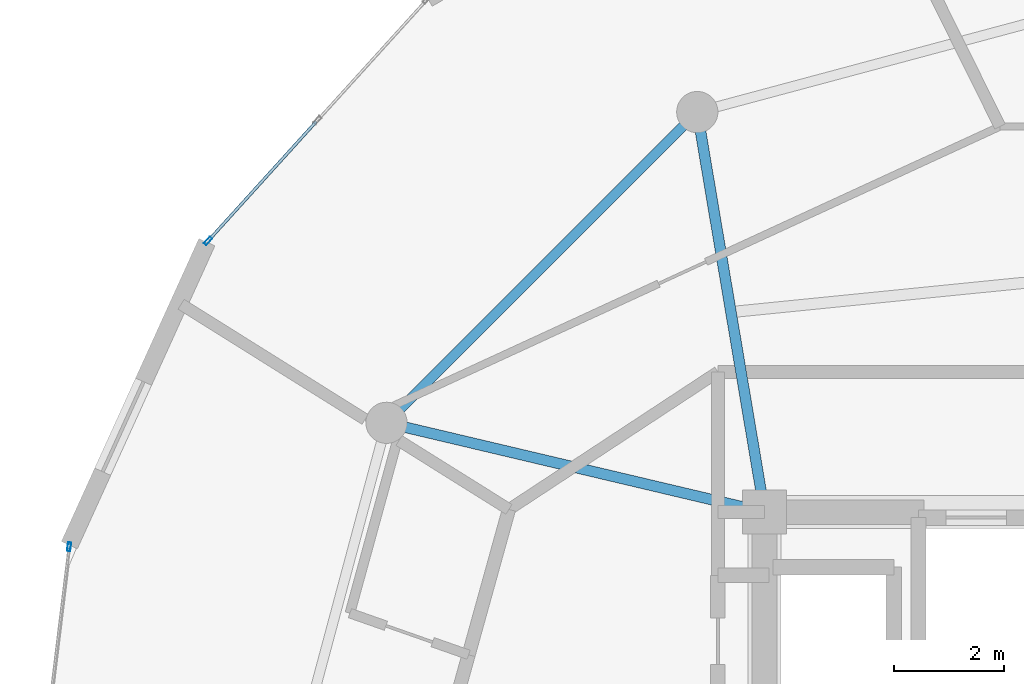
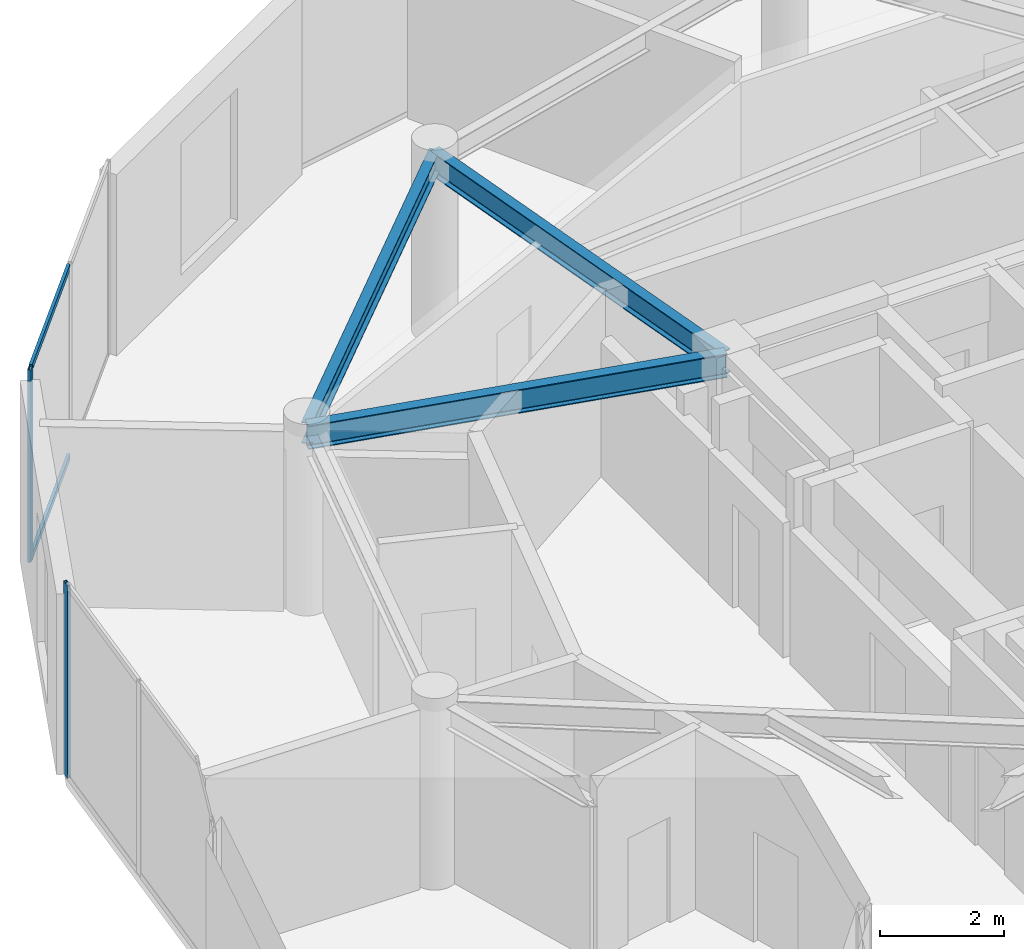
# One storey, part 9 of 18: 4 members, 3 beams, 2 elements without a shape of their own.
"""IFC4 building model written with IfcOpenShell, lengths in metres."""

from ifc_helpers import new_model, si_unit, direction, frame, origin, origin_2d, place, context, subcontext, project, spatial, hollow_rectangle, i_section, extrude, source, transform, mapped, material, layer, layer_set, material_profile, profile_set, type_object, element, aggregate, save


model = new_model("IFC4")

# Units and contexts
model_context = context("Model", 3, precision=1e-05, world=origin(), true_north=direction((0.0, 1.0)))
body_context = subcontext(model_context, "Body", "Model", "MODEL_VIEW")
ifc_project = project(units=[si_unit("LENGTHUNIT", "METRE"), si_unit("AREAUNIT", "SQUARE_METRE"), si_unit("VOLUMEUNIT", "CUBIC_METRE"), si_unit("PLANEANGLEUNIT", "RADIAN"), si_unit("MASSUNIT", "GRAM", prefix="KILO")], contexts=[model_context])

# Site, building, storey
site_placement = place(None, origin())
site = spatial("IfcSite", under=ifc_project, at=site_placement, CompositionType="ELEMENT")
building_placement = place(site_placement, origin())
building = spatial("IfcBuilding", under=site, at=building_placement, Name="Solvirekh Grand Hotel", CompositionType="ELEMENT")
storey_placement = place(building_placement, frame((0.0, 0.0, 274.39990234375)))
storey = spatial("IfcBuildingStorey", under=building, at=storey_placement, Name="L71", CompositionType="ELEMENT", Elevation=274.39990234375)

# Beams
ifc_material_1 = material(Name="Steel S355", Category="steel")
ifc_material_profile_1 = material_profile(ifc_material_1, i_section(OverallWidth=0.194091796875, OverallDepth=0.468994140625, WebThickness=0.010986328125, FlangeThickness=0.01904296875, FilletRadius=0.012939453125, at=origin_2d()), Name="W460X106")
ifc_profile_set_1 = profile_set([ifc_material_profile_1], Name="Steel S355")
beam_type_1 = type_object("IfcBeamType", Name="Beam_Radial_W460H", PredefinedType="BEAM", material=ifc_profile_set_1)
beam_1_placement = place(storey_placement, frame((-6.5, 6.10009765625, 3.336181640625), z_axis=(-0.165954049106, 0.986133486697, 0.0), x_axis=(-0.986133486697, -0.165954049106, 0.0)))
element("IfcBeam", 1, at=beam_1_placement, inside=storey, type_object=beam_type_1, Name="L71 radial floor beam R05", PredefinedType="BEAM", context=body_context, shape_type="SweptSolid", body=[
    extrude(i_section(OverallWidth=0.194091796875, OverallDepth=0.468994140625, WebThickness=0.010986328125, FlangeThickness=0.01904296875, FilletRadius=0.012939453125, at=origin_2d()), origin(), (0.0, 0.0, 1.0), 7.382080078125),
])
beam_2_placement = place(storey_placement, frame((-6.5, 6.10009765625, 3.336181640625), z_axis=(-0.973221147544, 0.229870828888, 0.0), x_axis=(-0.229870828888, -0.973221147544, 0.0)))
element("IfcBeam", 2, at=beam_2_placement, inside=storey, type_object=beam_type_1, Name="L71 radial floor beam R06", PredefinedType="BEAM", context=body_context, shape_type="SweptSolid", body=[
    extrude(i_section(OverallWidth=0.194091796875, OverallDepth=0.468994140625, WebThickness=0.010986328125, FlangeThickness=0.01904296875, FilletRadius=0.012939453125, at=origin_2d()), origin(), (0.0, 0.0, 1.0), 7.069091796875),
])
ifc_material_profile_2 = material_profile(ifc_material_1, i_section(OverallWidth=0.180908203125, OverallDepth=0.4169921875, WebThickness=0.010009765625, FlangeThickness=0.01611328125, FilletRadius=0.011962890625, at=origin_2d()), Name="W410X85")
ifc_profile_set_2 = profile_set([ifc_material_profile_2], Name="Steel S355")
beam_type_2 = type_object("IfcBeamType", Name="Spandrel_Ring_W410", PredefinedType="SPANDREL", material=ifc_profile_set_2)
beam_3_placement = place(storey_placement, frame((-7.72509765625, 13.3798828125, 3.362060546875), z_axis=(-0.707106781187, -0.707106781187, 0.0), x_axis=(0.707106781187, -0.707106781187, 0.0)))
element("IfcBeam", 3, at=beam_3_placement, inside=storey, type_object=beam_type_2, Name="L71 perimeter spandrel beam 5", PredefinedType="SPANDREL", context=body_context, shape_type="SweptSolid", body=[
    extrude(i_section(OverallWidth=0.180908203125, OverallDepth=0.4169921875, WebThickness=0.010009765625, FlangeThickness=0.01611328125, FilletRadius=0.011962890625, at=origin_2d()), origin(), (0.0, 0.0, 1.0), 7.9970703125),
])

# Curtain wall, member
ifc_material_2 = material(Name="Anodized Bronze Aluminium 6063-T6", Category="aluminium")
ifc_layer = layer(ifc_material_2, 0.159912109375)
ifc_layer_set = layer_set([ifc_layer], Name="Anodized Bronze Aluminium 6063-T6")
curtain_wall_type = type_object("IfcCurtainWallType", Name="CW_Sys4_HighZoneFlushBronzeCW", PredefinedType="NOTDEFINED", material=ifc_layer_set)
curtain_wall_1_placement = place(storey_placement, origin())
curtain_wall_1 = element("IfcCurtainWall", 4, at=curtain_wall_1_placement, inside=storey, type_object=curtain_wall_type, Name="L71 unitised bronze-glass curtain wall CW-L71-C13", PredefinedType="NOTDEFINED")
ifc_material_profile_3 = material_profile(ifc_material_2, hollow_rectangle(XDim=0.06005859375, YDim=0.159912109375, WallThickness=0.0048828125, at=origin_2d()), Name="ALU RHS 160X60X5")
ifc_profile_set_3 = profile_set([ifc_material_profile_3], Name="Anodized Bronze Aluminium 6063-T6")
member_type_1 = type_object("IfcMemberType", Name="CWMullion_Sys4", PredefinedType="MULLION", material=ifc_profile_set_3)
shared_shape_1 = source(origin(), body_context, "Body", "SweptSolid", [
    extrude(hollow_rectangle(XDim=0.06005859375, YDim=0.159912109375, WallThickness=0.0048828125, at=origin_2d()), origin(), (0.0, 0.0, 1.0), 3.800048828125),
])
member_1_placement = place(storey_placement, frame((-16.62890625, 11.0341796875, 0.0), z_axis=(0.0, 0.0, 1.0), x_axis=(0.740846639177, -0.671674219559, 0.0)))
member_1 = element("IfcMember", 5, at=member_1_placement, type_object=member_type_1, Name="U04 mullion 3", PredefinedType="MULLION", context=body_context, shape_type="MappedRepresentation", body=[
    mapped(shared_shape_1, transform((0.0, 0.0, 0.0), x_axis=(1.0, 0.0, 0.0), y_axis=(0.0, 1.0, 0.0), z_axis=(0.0, 0.0, 1.0), scale=1.0)),
])

curtain_wall_2_placement = place(storey_placement, origin())
curtain_wall_2 = element("IfcCurtainWall", 6, at=curtain_wall_2_placement, inside=storey, type_object=curtain_wall_type, Name="L71 unitised bronze-glass curtain wall CW-L71-C15", PredefinedType="NOTDEFINED")
member_2_placement = place(storey_placement, frame((-19.154541015625, 5.47021484375, 0.0), z_axis=(0.0, 0.0, 1.0), x_axis=(0.992582752873, -0.121570879322, 0.0)))
member_2 = element("IfcMember", 7, at=member_2_placement, type_object=member_type_1, Name="U04 mullion 1", PredefinedType="MULLION", context=body_context, shape_type="MappedRepresentation", body=[
    mapped(shared_shape_1, transform((0.0, 0.0, 0.0), x_axis=(1.0, 0.0, 0.0), y_axis=(0.0, 1.0, 0.0), z_axis=(0.0, 0.0, 1.0), scale=1.0)),
])
aggregate(curtain_wall_2, [member_2])

# Member
ifc_material_profile_4 = material_profile(ifc_material_2, hollow_rectangle(XDim=0.054931640625, YDim=0.1201171875, WallThickness=0.00390625, at=origin_2d()), Name="ALU RHS 120X55X4")
ifc_profile_set_4 = profile_set([ifc_material_profile_4], Name="Anodized Bronze Aluminium 6063-T6")
member_type_2 = type_object("IfcMemberType", Name="CWTransom_Sys4", PredefinedType="USERDEFINED", material=ifc_profile_set_4)
shared_shape_2 = source(origin(), body_context, "Body", "SweptSolid", [
    extrude(hollow_rectangle(XDim=0.054931640625, YDim=0.1201171875, WallThickness=0.00390625, at=origin_2d()), origin(), (0.0, 0.0, 1.0), 2.902587890625),
])
member_3_placement = place(storey_placement, frame((-14.6591796875, 13.206787109375, 0.027587890625), z_axis=(-0.671646419518, -0.740871842594, 0.0), x_axis=(0.740871842594, -0.671646419518, 0.0)))
member_3 = element("IfcMember", 8, at=member_3_placement, type_object=member_type_2, Name="U04 transom 2.1", ObjectType="TRANSOM", PredefinedType="USERDEFINED", context=body_context, shape_type="MappedRepresentation", body=[
    mapped(shared_shape_2, transform((0.0, 0.0, 0.0), x_axis=(1.0, 0.0, 0.0), y_axis=(0.0, 1.0, 0.0), z_axis=(0.0, 0.0, 1.0), scale=1.0)),
])

member_4_placement = place(storey_placement, frame((-14.6591796875, 13.206787109375, 3.772705078125), z_axis=(-0.671646419518, -0.740871842594, 0.0), x_axis=(0.740871842594, -0.671646419518, 0.0)))
member_4 = element("IfcMember", 9, at=member_4_placement, type_object=member_type_2, Name="U04 transom 2.2", ObjectType="TRANSOM", PredefinedType="USERDEFINED", context=body_context, shape_type="MappedRepresentation", body=[
    mapped(shared_shape_2, transform((0.0, 0.0, 0.0), x_axis=(1.0, 0.0, 0.0), y_axis=(0.0, 1.0, 0.0), z_axis=(0.0, 0.0, 1.0), scale=1.0)),
])

aggregate(curtain_wall_1, [member_1, member_3, member_4])

save(model, "model.ifc")
